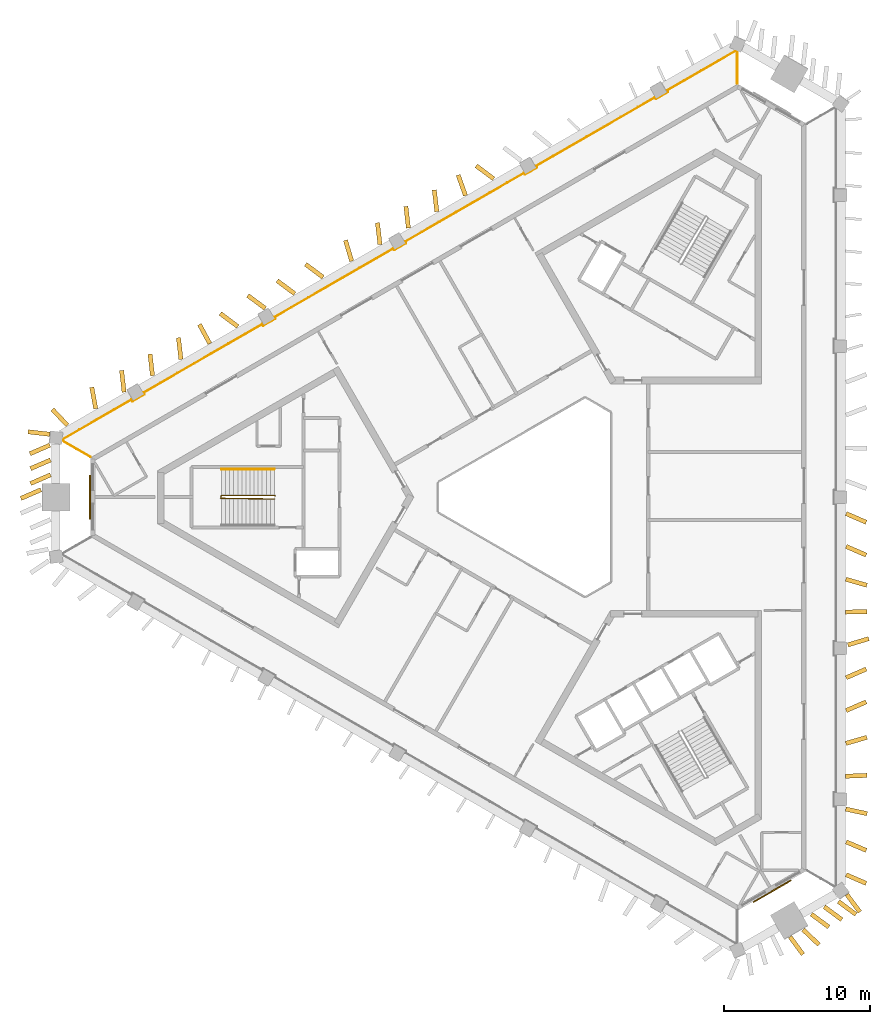
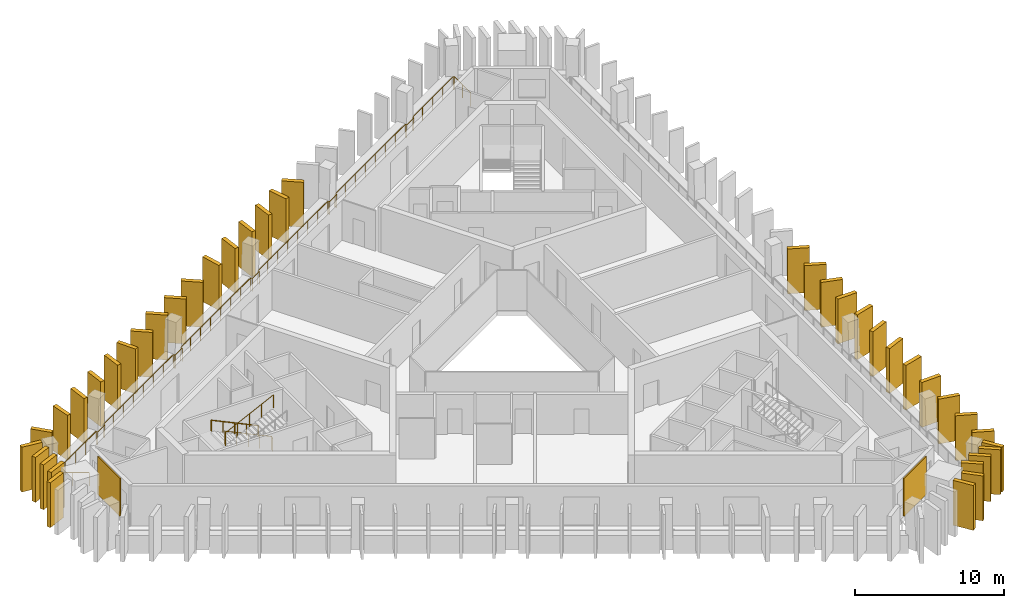
# One storey, part 8 of 9: 39 shading devices, 3 railings, 2 coverings.
"""IFC4 building model written with IfcOpenShell, lengths in metres."""

from ifc_helpers import new_model, si_unit, direction, frame, frame_2d, origin, origin_2d, place, context, subcontext, project, spatial, rectangle, circle, extrude, material, layer, layer_set, type_object, element, save


model = new_model("IFC4")

# Units and contexts
model_context = context("Model", 3, precision=1e-05, world=origin(), true_north=direction((0.0, 1.0)))
body_context = subcontext(model_context, "Body", "Model", "MODEL_VIEW")
ifc_project = project(units=[si_unit("LENGTHUNIT", "METRE"), si_unit("AREAUNIT", "SQUARE_METRE"), si_unit("VOLUMEUNIT", "CUBIC_METRE"), si_unit("PLANEANGLEUNIT", "RADIAN"), si_unit("MASSUNIT", "GRAM", prefix="KILO")], contexts=[model_context])

# Site, building, storey
site_placement = place(None, origin())
site = spatial("IfcSite", under=ifc_project, at=site_placement, CompositionType="ELEMENT")
building_placement = place(site_placement, origin())
building = spatial("IfcBuilding", under=site, at=building_placement, Name="Jabali Bay Hotel Tower and Convention Centre", CompositionType="ELEMENT")
storey_placement = place(building_placement, frame((0.0, 0.0, 213.199951171875)))
storey = spatial("IfcBuildingStorey", under=building, at=storey_placement, Name="L52", CompositionType="ELEMENT", Elevation=213.199951171875)

# Railing
ifc_material_1 = material(Name="Glass", Category="glass")
railing_type_1 = type_object("IfcRailingType", Name="Loggia glass guard 1100", PredefinedType="BALUSTRADE", material=ifc_material_1)
railing_1_placement = place(storey_placement, frame((43.78271484375, 82.762939453125, 0.0)))
element("IfcRailing", 1, at=railing_1_placement, inside=storey, type_object=railing_type_1, Name="Loggia glass guard L52", PredefinedType="BALUSTRADE", context=body_context, shape_type="SweptSolid", body=[
    extrude(circle(Radius=0.02490234375, at=origin_2d()), frame((0.0, 0.0, 1.0751953125), z_axis=(-0.866008297462, 0.50002962785, 0.0), x_axis=(-0.495751805066, -0.858599476426, 0.13052619222)), (0.0, 0.0, 1.0), 2.247314453125),
    extrude(circle(Radius=0.02490234375, at=origin_2d()), frame((-1.9462890625, 1.123779296875, 1.0751953125), z_axis=(0.120440362597, 0.992720564438, 0.0), x_axis=(-0.984227702392, 0.119409978599, 0.13052619222)), (0.0, 0.0, 1.0), 0.06689453125),
    extrude(circle(Radius=0.02490234375, at=origin_2d()), frame((-1.938232421875, 1.190185546875, 1.0751953125), z_axis=(0.8660093121, 0.50002787058, 0.0), x_axis=(-0.49575006283, 0.858600482383, 0.13052619222)), (0.0, 0.0, 1.0), 5.489501953125),
    extrude(circle(Radius=0.02490234375, at=origin_2d()), frame((2.815673828125, 3.93505859375, 1.0751953125), z_axis=(0.499497219344, -0.8663154898, 0.0), x_axis=(0.858904040691, 0.495223951389, 0.13052619222)), (0.0, 0.0, 1.0), 0.125244140625),
    extrude(circle(Radius=0.02490234375, at=origin_2d()), frame((2.878173828125, 3.82666015625, 1.0751953125), z_axis=(0.865988727248, 0.500063520245, 0.0), x_axis=(-0.495785407507, 0.858580073638, 0.13052619222)), (0.0, 0.0, 1.0), 0.9501953125),
    extrude(circle(Radius=0.02490234375, at=origin_2d()), frame((3.700927734375, 4.3017578125, 1.0751953125), z_axis=(-0.500342721131, 0.865827443207, 0.0), x_axis=(-0.858420169404, -0.496062219791, 0.13052619222)), (0.0, 0.0, 1.0), 0.125),
    extrude(circle(Radius=0.02490234375, at=origin_2d()), frame((3.638427734375, 4.409912109375, 1.0751953125), z_axis=(0.86602143297, 0.50000687759, 0.0), x_axis=(-0.495729249438, 0.858612499557, 0.13052619222)), (0.0, 0.0, 1.0), 9.436279296875),
    extrude(circle(Radius=0.02490234375, at=origin_2d()), frame((11.810546875, 9.128173828125, 1.0751953125), z_axis=(0.499497219344, -0.8663154898, 0.0), x_axis=(0.858904040691, 0.495223951389, 0.13052619222)), (0.0, 0.0, 1.0), 0.125244140625),
    extrude(circle(Radius=0.02490234375, at=origin_2d()), frame((11.873046875, 9.019775390625, 1.0751953125), z_axis=(0.865924446982, 0.500174821557, 0.0), x_axis=(-0.495895756621, 0.858516343298, 0.13052619222)), (0.0, 0.0, 1.0), 0.949951171875),
    extrude(circle(Radius=0.02490234375, at=origin_2d()), frame((12.695556640625, 9.494873046875, 1.0751953125), z_axis=(-0.500342721131, 0.865827443207, 0.0), x_axis=(-0.858420169404, -0.496062219791, 0.13052619222)), (0.0, 0.0, 1.0), 0.125),
    extrude(circle(Radius=0.02490234375, at=origin_2d()), frame((12.633056640625, 9.60302734375, 1.0751953125), z_axis=(0.86602143297, 0.50000687759, 0.0), x_axis=(-0.495729249438, 0.858612499557, 0.13052619222)), (0.0, 0.0, 1.0), 9.436279296875),
    extrude(circle(Radius=0.02490234375, at=origin_2d()), frame((20.80517578125, 14.3212890625, 1.0751953125), z_axis=(0.500342721131, -0.865827443207, 0.0), x_axis=(0.858420169404, 0.496062219791, 0.13052619222)), (0.0, 0.0, 1.0), 0.125),
    extrude(circle(Radius=0.02490234375, at=origin_2d()), frame((20.86767578125, 14.213134765625, 1.0751953125), z_axis=(0.866100000774, 0.49987077196, 0.0), x_axis=(-0.495594308211, 0.858690395203, 0.13052619222)), (0.0, 0.0, 1.0), 0.949951171875),
    extrude(circle(Radius=0.02490234375, at=origin_2d()), frame((21.6904296875, 14.68798828125, 1.0751953125), z_axis=(-0.499497219344, 0.8663154898, 0.0), x_axis=(-0.858904040691, -0.495223951389, 0.13052619222)), (0.0, 0.0, 1.0), 0.125244140625),
    extrude(circle(Radius=0.02490234375, at=origin_2d()), frame((21.6279296875, 14.79638671875, 1.0751953125), z_axis=(0.866032636008, 0.499987473213, 0.0), x_axis=(-0.495710011068, 0.858623606752, 0.13052619222)), (0.0, 0.0, 1.0), 9.436279296875),
    extrude(circle(Radius=0.02490234375, at=origin_2d()), frame((29.800048828125, 19.514404296875, 1.0751953125), z_axis=(0.500342721131, -0.865827443207, 0.0), x_axis=(0.858420169404, 0.496062219791, 0.13052619222)), (0.0, 0.0, 1.0), 0.125),
    extrude(circle(Radius=0.02490234375, at=origin_2d()), frame((29.862548828125, 19.40625, 1.0751953125), z_axis=(0.866100000774, 0.49987077196, 0.0), x_axis=(-0.495594308211, 0.858690395203, 0.13052619222)), (0.0, 0.0, 1.0), 0.949951171875),
    extrude(circle(Radius=0.02490234375, at=origin_2d()), frame((30.685302734375, 19.881103515625, 1.0751953125), z_axis=(-0.499497219344, 0.8663154898, 0.0), x_axis=(-0.858904040691, -0.495223951389, 0.13052619222)), (0.0, 0.0, 1.0), 0.125244140625),
    extrude(circle(Radius=0.02490234375, at=origin_2d()), frame((30.622802734375, 19.989501953125, 1.0751953125), z_axis=(0.866032636008, 0.499987473213, 0.0), x_axis=(-0.495710011068, 0.858623606752, 0.13052619222)), (0.0, 0.0, 1.0), 9.436279296875),
    extrude(circle(Radius=0.02490234375, at=origin_2d()), frame((38.794921875, 24.70751953125, 1.0751953125), z_axis=(0.500342721131, -0.865827443207, 0.0), x_axis=(0.858420169404, 0.496062219791, 0.13052619222)), (0.0, 0.0, 1.0), 0.125),
    extrude(circle(Radius=0.02490234375, at=origin_2d()), frame((38.857421875, 24.599365234375, 1.0751953125), z_axis=(0.866035761792, 0.499982058975, 0.0), x_axis=(-0.49570464315, 0.858626705795, 0.13052619222)), (0.0, 0.0, 1.0), 0.94970703125),
    extrude(circle(Radius=0.02490234375, at=origin_2d()), frame((39.679931640625, 25.07421875, 1.0751953125), z_axis=(-0.499497219344, 0.8663154898, 0.0), x_axis=(-0.858904040691, -0.495223951389, 0.13052619222)), (0.0, 0.0, 1.0), 0.125244140625),
    extrude(circle(Radius=0.02490234375, at=origin_2d()), frame((39.617431640625, 25.1826171875, 1.0751953125), z_axis=(0.866028570666, 0.499994514761, 0.0), x_axis=(-0.495716992375, 0.858619576189, 0.13052619222)), (0.0, 0.0, 1.0), 5.4892578125),
    extrude(circle(Radius=0.02490234375, at=origin_2d()), frame((44.371337890625, 27.92724609375, 1.0751953125), z_axis=(0.91970817197, -0.392602697916, 0.0), x_axis=(0.38924392741, 0.911839941063, 0.13052619222)), (0.0, 0.0, 1.0), 0.067138671875),
    extrude(circle(Radius=0.02490234375, at=origin_2d()), frame((44.43310546875, 27.90087890625, 1.0751953125), z_axis=(0.0, -1.0, 0.0), x_axis=(0.991444861374, 0.0, 0.13052619222)), (0.0, 0.0, 1.0), 2.247314453125),
    extrude(circle(Radius=0.02001953125, at=origin_2d()), origin(), (0.0, 0.0, 1.0), 1.050048828125),
    extrude(circle(Radius=0.02001953125, at=origin_2d()), frame((-0.97314453125, 0.56201171875, 0.0)), (0.0, 0.0, 1.0), 1.050048828125),
    extrude(circle(Radius=0.02001953125, at=origin_2d()), frame((-1.9462890625, 1.123779296875, 0.0)), (0.0, 0.0, 1.0), 1.050048828125),
    extrude(circle(Radius=0.02001953125, at=origin_2d()), frame((-1.938232421875, 1.190185546875, 0.0)), (0.0, 0.0, 1.0), 1.050048828125),
    extrude(circle(Radius=0.02001953125, at=origin_2d()), frame((-0.749755859375, 1.87646484375, 0.0)), (0.0, 0.0, 1.0), 1.050048828125),
    extrude(circle(Radius=0.02001953125, at=origin_2d()), frame((0.438720703125, 2.5625, 0.0)), (0.0, 0.0, 1.0), 1.050048828125),
    extrude(circle(Radius=0.02001953125, at=origin_2d()), frame((1.627197265625, 3.248779296875, 0.0)), (0.0, 0.0, 1.0), 1.050048828125),
    extrude(circle(Radius=0.02001953125, at=origin_2d()), frame((2.815673828125, 3.93505859375, 0.0)), (0.0, 0.0, 1.0), 1.050048828125),
    extrude(circle(Radius=0.02001953125, at=origin_2d()), frame((2.878173828125, 3.82666015625, 0.0)), (0.0, 0.0, 1.0), 1.050048828125),
    extrude(circle(Radius=0.02001953125, at=origin_2d()), frame((3.700927734375, 4.3017578125, 0.0)), (0.0, 0.0, 1.0), 1.050048828125),
    extrude(circle(Radius=0.02001953125, at=origin_2d()), frame((3.638427734375, 4.409912109375, 0.0)), (0.0, 0.0, 1.0), 1.050048828125),
    extrude(circle(Radius=0.02001953125, at=origin_2d()), frame((4.805908203125, 5.083984375, 0.0)), (0.0, 0.0, 1.0), 1.050048828125),
    extrude(circle(Radius=0.02001953125, at=origin_2d()), frame((5.973388671875, 5.758056640625, 0.0)), (0.0, 0.0, 1.0), 1.050048828125),
    extrude(circle(Radius=0.02001953125, at=origin_2d()), frame((7.140869140625, 6.43212890625, 0.0)), (0.0, 0.0, 1.0), 1.050048828125),
    extrude(circle(Radius=0.02001953125, at=origin_2d()), frame((8.30810546875, 7.10595703125, 0.0)), (0.0, 0.0, 1.0), 1.050048828125),
    extrude(circle(Radius=0.02001953125, at=origin_2d()), frame((9.4755859375, 7.780029296875, 0.0)), (0.0, 0.0, 1.0), 1.050048828125),
    extrude(circle(Radius=0.02001953125, at=origin_2d()), frame((10.64306640625, 8.4541015625, 0.0)), (0.0, 0.0, 1.0), 1.050048828125),
    extrude(circle(Radius=0.02001953125, at=origin_2d()), frame((11.810546875, 9.128173828125, 0.0)), (0.0, 0.0, 1.0), 1.050048828125),
    extrude(circle(Radius=0.02001953125, at=origin_2d()), frame((11.873046875, 9.019775390625, 0.0)), (0.0, 0.0, 1.0), 1.050048828125),
    extrude(circle(Radius=0.02001953125, at=origin_2d()), frame((12.695556640625, 9.494873046875, 0.0)), (0.0, 0.0, 1.0), 1.050048828125),
    extrude(circle(Radius=0.02001953125, at=origin_2d()), frame((12.633056640625, 9.60302734375, 0.0)), (0.0, 0.0, 1.0), 1.050048828125),
    extrude(circle(Radius=0.02001953125, at=origin_2d()), frame((13.800537109375, 10.277099609375, 0.0)), (0.0, 0.0, 1.0), 1.050048828125),
    extrude(circle(Radius=0.02001953125, at=origin_2d()), frame((14.968017578125, 10.951171875, 0.0)), (0.0, 0.0, 1.0), 1.050048828125),
    extrude(circle(Radius=0.02001953125, at=origin_2d()), frame((16.135498046875, 11.625244140625, 0.0)), (0.0, 0.0, 1.0), 1.050048828125),
    extrude(circle(Radius=0.02001953125, at=origin_2d()), frame((17.302734375, 12.299072265625, 0.0)), (0.0, 0.0, 1.0), 1.050048828125),
    extrude(circle(Radius=0.02001953125, at=origin_2d()), frame((18.47021484375, 12.97314453125, 0.0)), (0.0, 0.0, 1.0), 1.050048828125),
    extrude(circle(Radius=0.02001953125, at=origin_2d()), frame((19.6376953125, 13.647216796875, 0.0)), (0.0, 0.0, 1.0), 1.050048828125),
    extrude(circle(Radius=0.02001953125, at=origin_2d()), frame((20.80517578125, 14.3212890625, 0.0)), (0.0, 0.0, 1.0), 1.050048828125),
    extrude(circle(Radius=0.02001953125, at=origin_2d()), frame((20.86767578125, 14.213134765625, 0.0)), (0.0, 0.0, 1.0), 1.050048828125),
    extrude(circle(Radius=0.02001953125, at=origin_2d()), frame((21.6904296875, 14.68798828125, 0.0)), (0.0, 0.0, 1.0), 1.050048828125),
    extrude(circle(Radius=0.02001953125, at=origin_2d()), frame((21.6279296875, 14.79638671875, 0.0)), (0.0, 0.0, 1.0), 1.050048828125),
    extrude(circle(Radius=0.02001953125, at=origin_2d()), frame((22.79541015625, 15.470458984375, 0.0)), (0.0, 0.0, 1.0), 1.050048828125),
    extrude(circle(Radius=0.02001953125, at=origin_2d()), frame((23.962890625, 16.144287109375, 0.0)), (0.0, 0.0, 1.0), 1.050048828125),
    extrude(circle(Radius=0.02001953125, at=origin_2d()), frame((25.13037109375, 16.818359375, 0.0)), (0.0, 0.0, 1.0), 1.050048828125),
    extrude(circle(Radius=0.02001953125, at=origin_2d()), frame((26.297607421875, 17.492431640625, 0.0)), (0.0, 0.0, 1.0), 1.050048828125),
    extrude(circle(Radius=0.02001953125, at=origin_2d()), frame((27.465087890625, 18.16650390625, 0.0)), (0.0, 0.0, 1.0), 1.050048828125),
    extrude(circle(Radius=0.02001953125, at=origin_2d()), frame((28.632568359375, 18.84033203125, 0.0)), (0.0, 0.0, 1.0), 1.050048828125),
    extrude(circle(Radius=0.02001953125, at=origin_2d()), frame((29.800048828125, 19.514404296875, 0.0)), (0.0, 0.0, 1.0), 1.050048828125),
    extrude(circle(Radius=0.02001953125, at=origin_2d()), frame((29.862548828125, 19.40625, 0.0)), (0.0, 0.0, 1.0), 1.050048828125),
    extrude(circle(Radius=0.02001953125, at=origin_2d()), frame((30.685302734375, 19.881103515625, 0.0)), (0.0, 0.0, 1.0), 1.050048828125),
    extrude(circle(Radius=0.02001953125, at=origin_2d()), frame((30.622802734375, 19.989501953125, 0.0)), (0.0, 0.0, 1.0), 1.050048828125),
    extrude(circle(Radius=0.02001953125, at=origin_2d()), frame((31.790283203125, 20.66357421875, 0.0)), (0.0, 0.0, 1.0), 1.050048828125),
    extrude(circle(Radius=0.02001953125, at=origin_2d()), frame((32.957763671875, 21.33740234375, 0.0)), (0.0, 0.0, 1.0), 1.050048828125),
    extrude(circle(Radius=0.02001953125, at=origin_2d()), frame((34.125244140625, 22.011474609375, 0.0)), (0.0, 0.0, 1.0), 1.050048828125),
    extrude(circle(Radius=0.02001953125, at=origin_2d()), frame((35.29248046875, 22.685546875, 0.0)), (0.0, 0.0, 1.0), 1.050048828125),
    extrude(circle(Radius=0.02001953125, at=origin_2d()), frame((36.4599609375, 23.359619140625, 0.0)), (0.0, 0.0, 1.0), 1.050048828125),
    extrude(circle(Radius=0.02001953125, at=origin_2d()), frame((37.62744140625, 24.033447265625, 0.0)), (0.0, 0.0, 1.0), 1.050048828125),
    extrude(circle(Radius=0.02001953125, at=origin_2d()), frame((38.794921875, 24.70751953125, 0.0)), (0.0, 0.0, 1.0), 1.050048828125),
    extrude(circle(Radius=0.02001953125, at=origin_2d()), frame((38.857421875, 24.599365234375, 0.0)), (0.0, 0.0, 1.0), 1.050048828125),
    extrude(circle(Radius=0.02001953125, at=origin_2d()), frame((39.679931640625, 25.07421875, 0.0)), (0.0, 0.0, 1.0), 1.050048828125),
    extrude(circle(Radius=0.02001953125, at=origin_2d()), frame((39.617431640625, 25.1826171875, 0.0)), (0.0, 0.0, 1.0), 1.050048828125),
    extrude(circle(Radius=0.02001953125, at=origin_2d()), frame((40.805908203125, 25.86865234375, 0.0)), (0.0, 0.0, 1.0), 1.050048828125),
    extrude(circle(Radius=0.02001953125, at=origin_2d()), frame((41.994384765625, 26.554931640625, 0.0)), (0.0, 0.0, 1.0), 1.050048828125),
    extrude(circle(Radius=0.02001953125, at=origin_2d()), frame((43.182861328125, 27.2412109375, 0.0)), (0.0, 0.0, 1.0), 1.050048828125),
    extrude(circle(Radius=0.02001953125, at=origin_2d()), frame((44.371337890625, 27.92724609375, 0.0)), (0.0, 0.0, 1.0), 1.050048828125),
    extrude(circle(Radius=0.02001953125, at=origin_2d()), frame((44.43310546875, 27.90087890625, 0.0)), (0.0, 0.0, 1.0), 1.050048828125),
    extrude(circle(Radius=0.02001953125, at=origin_2d()), frame((44.43310546875, 26.77734375, 0.0)), (0.0, 0.0, 1.0), 1.050048828125),
    extrude(circle(Radius=0.02001953125, at=origin_2d()), frame((44.43310546875, 25.653564453125, 0.0)), (0.0, 0.0, 1.0), 1.050048828125),
])

# Shading devices
ifc_material_2 = material(Name="Precast concrete C60", Category="concrete")
ifc_layer_1 = layer(ifc_material_2, 0.300048828125)
ifc_layer_set_1 = layer_set([ifc_layer_1], Name="Precast concrete C60")
shading_device_type = type_object("IfcShadingDeviceType", Name="Precast fin 3680 x 1500", PredefinedType="USERDEFINED", material=ifc_layer_set_1)
for number, where, z_axis, x_axis, name in (
    (2, (95.703369140625, 54.059814453125, 0.010009765625), (0.0, 0.0, 1.0), (0.917682260148, -0.39731507574, 0.0), "Fin L52 000"),
    (3, (95.7021484375, 56.3154296875, 0.010009765625), (0.0, 0.0, 1.0), (0.921036872291, -0.389475390598, 0.0), "Fin L52 001"),
    (4, (95.67578125, 58.571044921875, 0.010009765625), (0.0, 0.0, 1.0), (0.977074892163, -0.212895878552, 0.0), "Fin L52 002"),
    (5, (95.649658203125, 60.826904296875, 0.010009765625), (0.0, 0.0, 1.0), (0.999249346644, 0.03873942735, 0.0), "Fin L52 003"),
):
    element("IfcShadingDevice", number, at=place(storey_placement, frame(where, z_axis=z_axis, x_axis=x_axis)), inside=storey, type_object=shading_device_type, Name=name, ObjectType="FIN", PredefinedType="USERDEFINED", context=body_context, shape_type="SweptSolid", body=[
        extrude(rectangle(XDim=1.5, YDim=0.300048828125, at=frame_2d((0.75, 0.0))), origin(), (0.0, 0.0, 1.0), 3.679931640625),
    ])
shading_device_1_placement = place(storey_placement, frame((95.685302734375, 63.08251953125, 0.010009765625), z_axis=(0.0, 0.0, 1.0), x_axis=(0.961043364165, 0.276397634206, 0.0)))
element("IfcShadingDevice", 6, at=shading_device_1_placement, inside=storey, type_object=shading_device_type, Name="Fin L52 004", ObjectType="FIN", PredefinedType="USERDEFINED", context=body_context, shape_type="SweptSolid", body=[
    extrude(rectangle(XDim=1.499755859375, YDim=0.300048828125, at=frame_2d((0.75, 0.0))), origin(), (0.0, 0.0, 1.0), 3.679931640625),
])
for number, where, z_axis, x_axis, name in (
    (7, (95.703369140625, 65.338134765625, 0.010009765625), (0.0, 0.0, 1.0), (0.917682260148, 0.39731507574, 0.0), "Fin L52 005"),
    (8, (95.703369140625, 67.59375, 0.010009765625), (0.0, 0.0, 1.0), (0.917682260148, 0.39731507574, 0.0), "Fin L52 006"),
    (9, (95.8193359375, 69.849365234375, 0.010009765625), (0.0, 0.0, 1.0), (0.958085734124, 0.286481633037, 0.0), "Fin L52 007"),
    (10, (95.64697265625, 72.105224609375, 0.010009765625), (0.0, 0.0, 1.0), (0.999772697888, 0.021320238226, 0.0), "Fin L52 008"),
):
    element("IfcShadingDevice", number, at=place(storey_placement, frame(where, z_axis=z_axis, x_axis=x_axis)), inside=storey, type_object=shading_device_type, Name=name, ObjectType="FIN", PredefinedType="USERDEFINED", context=body_context, shape_type="SweptSolid", body=[
        extrude(rectangle(XDim=1.5, YDim=0.300048828125, at=frame_2d((0.75, 0.0))), origin(), (0.0, 0.0, 1.0), 3.679931640625),
    ])
for number, where, z_axis, x_axis, name in (
    (11, (95.685302734375, 74.36083984375, 0.010009765625), (0.0, 0.0, 1.0), (0.961043364165, -0.276397634206, 0.0), "Fin L52 009"),
    (12, (95.703369140625, 76.616455078125, 0.010009765625), (0.0, 0.0, 1.0), (0.917741600183, -0.397177989437, 0.0), "Fin L52 010"),
):
    element("IfcShadingDevice", number, at=place(storey_placement, frame(where, z_axis=z_axis, x_axis=x_axis)), inside=storey, type_object=shading_device_type, Name=name, ObjectType="FIN", PredefinedType="USERDEFINED", context=body_context, shape_type="SweptSolid", body=[
        extrude(rectangle(XDim=1.499755859375, YDim=0.300048828125, at=frame_2d((0.75, 0.0))), origin(), (0.0, 0.0, 1.0), 3.679931640625),
    ])
for number, where, z_axis, x_axis, name in (
    (13, (95.703369140625, 78.8720703125, 0.010009765625), (0.0, 0.0, 1.0), (0.917767272696, -0.397118663837, 0.0), "Fin L52 011"),
    (14, (71.485595703125, 101.876708984375, 0.010009765625), (0.0, 0.0, 1.0), (-0.80140400325, 0.598123418347, 0.0), "Fin L52 040"),
    (15, (69.54833984375, 100.72119140625, 0.010009765625), (0.0, 0.0, 1.0), (-0.335449534217, 0.942058177606, 0.0), "Fin L52 041"),
    (16, (67.57861328125, 99.621337890625, 0.010009765625), (0.0, 0.0, 1.0), (-0.115075086819, 0.993356796118, 0.0), "Fin L52 042"),
    (17, (65.625, 98.49365234375, 0.010009765625), (0.0, 0.0, 1.0), (-0.114753848896, 0.993393957181, 0.0), "Fin L52 043"),
    (18, (63.671630859375, 97.36572265625, 0.010009765625), (0.0, 0.0, 1.0), (-0.114914472364, 0.993375389287, 0.0), "Fin L52 044"),
):
    element("IfcShadingDevice", number, at=place(storey_placement, frame(where, z_axis=z_axis, x_axis=x_axis)), inside=storey, type_object=shading_device_type, Name=name, ObjectType="FIN", PredefinedType="USERDEFINED", context=body_context, shape_type="SweptSolid", body=[
        extrude(rectangle(XDim=1.5, YDim=0.300048828125, at=frame_2d((0.75, 0.0))), origin(), (0.0, 0.0, 1.0), 3.679931640625),
    ])
shading_device_2_placement = place(storey_placement, frame((61.73046875, 96.21630859375, 0.010009765625), z_axis=(0.0, 0.0, 1.0), x_axis=(-0.28545114311, 0.95839326213, 0.0)))
element("IfcShadingDevice", 19, at=shading_device_2_placement, inside=storey, type_object=shading_device_type, Name="Fin L52 045", ObjectType="FIN", PredefinedType="USERDEFINED", context=body_context, shape_type="SweptSolid", body=[
    extrude(rectangle(XDim=1.500244140625, YDim=0.300048828125, at=frame_2d((0.75, 0.0))), origin(), (0.0, 0.0, 1.0), 3.679931640625),
])
for number, where, z_axis, x_axis, name in (
    (20, (59.7646484375, 95.110107421875, 0.010009765625), (0.0, 0.0, 1.0), (-0.802939709728, 0.596060250765, 0.0), "Fin L52 046"),
    (21, (57.811279296875, 93.982177734375, 0.010009765625), (0.0, 0.0, 1.0), (-0.802861809091, 0.596165174681, 0.0), "Fin L52 047"),
    (22, (55.79150390625, 92.96923828125, 0.010009765625), (0.0, 0.0, 1.0), (-0.802939709728, 0.596060250765, 0.0), "Fin L52 048"),
    (23, (53.904296875, 91.7265625, 0.010009765625), (0.0, 0.0, 1.0), (-0.802861809091, 0.596165174681, 0.0), "Fin L52 049"),
    (24, (51.978271484375, 90.551025390625, 0.010009765625), (0.0, 0.0, 1.0), (-0.474478334483, 0.880267181091, 0.0), "Fin L52 050"),
    (25, (49.997314453125, 89.470947265625, 0.010009765625), (0.0, 0.0, 1.0), (-0.114914472364, 0.993375389287, 0.0), "Fin L52 051"),
    (26, (48.043701171875, 88.343017578125, 0.010009765625), (0.0, 0.0, 1.0), (-0.114753848896, 0.993393957181, 0.0), "Fin L52 052"),
):
    element("IfcShadingDevice", number, at=place(storey_placement, frame(where, z_axis=z_axis, x_axis=x_axis)), inside=storey, type_object=shading_device_type, Name=name, ObjectType="FIN", PredefinedType="USERDEFINED", context=body_context, shape_type="SweptSolid", body=[
        extrude(rectangle(XDim=1.5, YDim=0.300048828125, at=frame_2d((0.75, 0.0))), origin(), (0.0, 0.0, 1.0), 3.679931640625),
    ])
shading_device_3_placement = place(storey_placement, frame((46.09033203125, 87.215087890625, 0.010009765625), z_axis=(0.0, 0.0, 1.0), x_axis=(-0.114735296621, 0.993396100108, 0.0)))
element("IfcShadingDevice", 27, at=shading_device_3_placement, inside=storey, type_object=shading_device_type, Name="Fin L52 053", ObjectType="FIN", PredefinedType="USERDEFINED", context=body_context, shape_type="SweptSolid", body=[
    extrude(rectangle(XDim=1.500244140625, YDim=0.300048828125, at=frame_2d((0.75, 0.0))), origin(), (0.0, 0.0, 1.0), 3.679931640625),
])
for number, where, z_axis, x_axis, name in (
    (28, (44.1416015625, 86.079345703125, 0.010009765625), (0.0, 0.0, 1.0), (-0.181319849924, 0.983424177059, 0.0), "Fin L52 054"),
    (29, (42.196044921875, 84.937744140625, 0.010009765625), (0.0, 0.0, 1.0), (-0.684877173461, 0.728658532697, 0.0), "Fin L52 055"),
):
    element("IfcShadingDevice", number, at=place(storey_placement, frame(where, z_axis=z_axis, x_axis=x_axis)), inside=storey, type_object=shading_device_type, Name=name, ObjectType="FIN", PredefinedType="USERDEFINED", context=body_context, shape_type="SweptSolid", body=[
        extrude(rectangle(XDim=1.5, YDim=0.300048828125, at=frame_2d((0.75, 0.0))), origin(), (0.0, 0.0, 1.0), 3.679931640625),
    ])
shading_device_4_placement = place(storey_placement, frame((40.9951171875, 83.579345703125, 0.010009765625), z_axis=(0.0, 0.0, 1.0), x_axis=(-0.917741600183, -0.397177989437, 0.0)))
element("IfcShadingDevice", 30, at=shading_device_4_placement, inside=storey, type_object=shading_device_type, Name="Fin L52 056", ObjectType="FIN", PredefinedType="USERDEFINED", context=body_context, shape_type="SweptSolid", body=[
    extrude(rectangle(XDim=1.499755859375, YDim=0.300048828125, at=frame_2d((0.75, 0.0))), origin(), (0.0, 0.0, 1.0), 3.679931640625),
])
for number, where, z_axis, x_axis, name in (
    (31, (41.036376953125, 82.556640625, 0.010009765625), (0.0, 0.0, 1.0), (-0.917767272696, -0.397118663837, 0.0), "Fin L52 057"),
    (32, (41.036376953125, 81.533935546875, 0.010009765625), (0.0, 0.0, 1.0), (-0.917767272696, -0.397118663837, 0.0), "Fin L52 058"),
    (33, (40.373779296875, 80.51123046875, 0.010009765625), (0.0, 0.0, 1.0), (-0.917767272696, -0.397118663837, 0.0), "Fin L52 059"),
    (34, (91.8486328125, 49.794677734375, 0.010009765625), (0.0, 0.0, 1.0), (0.59063667216, -0.806937619336, 0.0), "Fin L52 091"),
    (35, (92.747314453125, 50.283203125, 0.010009765625), (0.0, 0.0, 1.0), (0.724625461443, -0.689142902908, 0.0), "Fin L52 092"),
    (36, (93.310302734375, 51.353515625, 0.010009765625), (0.0, 0.0, 1.0), (0.802939709728, -0.596060250765, 0.0), "Fin L52 093"),
    (37, (94.196044921875, 51.864990234375, 0.010009765625), (0.0, 0.0, 1.0), (0.802861809091, -0.596165174681, 0.0), "Fin L52 094"),
    (38, (95.171142578125, 52.221435546875, 0.010009765625), (0.0, 0.0, 1.0), (0.802861809091, -0.596165174681, 0.0), "Fin L52 095"),
    (39, (95.751953125, 52.70068359375, 0.010009765625), (0.0, 0.0, 1.0), (0.596165174681, -0.802861809091, 0.0), "Fin L52 096"),
    (40, (40.98193359375, 84.322021484375, 0.010009765625), (0.0, 0.0, 1.0), (-0.993375389287, 0.114914472364, 0.0), "Fin L52 099"),
):
    element("IfcShadingDevice", number, at=place(storey_placement, frame(where, z_axis=z_axis, x_axis=x_axis)), inside=storey, type_object=shading_device_type, Name=name, ObjectType="FIN", PredefinedType="USERDEFINED", context=body_context, shape_type="SweptSolid", body=[
        extrude(rectangle(XDim=1.5, YDim=0.300048828125, at=frame_2d((0.75, 0.0))), origin(), (0.0, 0.0, 1.0), 3.679931640625),
    ])

# Coverings
ifc_material_3 = material(Name="Precast concrete C40/50", Category="concrete")
ifc_layer_2 = layer(ifc_material_3, 0.080078125)
ifc_layer_set_2 = layer_set([ifc_layer_2], Name="Precast concrete C40/50")
covering_type = type_object("IfcCoveringType", Name="Relief panel 3000 x 3100", PredefinedType="CLADDING", material=ifc_layer_set_2)
for number, where, z_axis, x_axis, name in (
    (41, (43.74267578125, 80.0, 0.10009765625), (0.0, 0.0, 1.0), (0.0, 1.0, 0.0), "Relief panel L52"),
    (42, (90.628662109375, 52.930419921875, 0.10009765625), (0.0, 0.0, 1.0), (-0.866025444555, -0.499999929383, 0.0), "Relief panel L52"),
):
    element("IfcCovering", number, at=place(storey_placement, frame(where, z_axis=z_axis, x_axis=x_axis)), inside=storey, type_object=covering_type, Name=name, PredefinedType="CLADDING", context=body_context, shape_type="SweptSolid", body=[
        extrude(rectangle(XDim=3.0, YDim=0.080078125, at=origin_2d()), origin(), (0.0, 0.0, 1.0), 3.10009765625),
    ])

# Railings
ifc_material_4 = material(Name="Steel Q355B", Category="steel")
railing_type_2 = type_object("IfcRailingType", Name="Stair guard 1100", PredefinedType="GUARDRAIL", material=ifc_material_4)
railing_2_placement = place(storey_placement, frame((56.469970703125, 80.074951171875, 0.0)))
element("IfcRailing", 43, at=railing_2_placement, inside=storey, type_object=railing_type_2, Name="L52 ST1 stair guard 1", PredefinedType="GUARDRAIL", context=body_context, shape_type="SweptSolid", body=[
    extrude(circle(Radius=0.02392578125, at=origin_2d()), frame((0.0, 0.0, 1.076171875), z_axis=(-0.333993628408, 0.333993628408, 0.881417331555), x_axis=(-0.707106781187, -0.707106781187, 0.0)), (0.0, 0.0, 1.0), 0.14990234375),
    extrude(circle(Radius=0.02392578125, at=origin_2d()), frame((-0.050048828125, 0.050048828125, 1.2080078125), z_axis=(-0.904327350853, 0.0, 0.426839598092), x_axis=(0.0, -1.0, 0.0)), (0.0, 0.0, 1.0), 4.02490234375),
    extrude(circle(Radius=0.02392578125, at=origin_2d()), frame((-3.68994140625, 0.050048828125, 2.92626953125), z_axis=(-0.242814311512, -0.970072785993, 0.0), x_axis=(0.970072785993, -0.242814311512, 0.0)), (0.0, 0.0, 1.0), 0.2060546875),
    extrude(circle(Radius=0.02392578125, at=origin_2d()), frame((-3.739990234375, -0.14990234375, 2.92626953125), z_axis=(0.893887803671, -0.012124321804, 0.4481267625), x_axis=(0.013562335953, 0.999908027292, 0.0)), (0.0, 0.0, 1.0), 4.1279296875),
    extrude(circle(Radius=0.02099609375, at=origin_2d()), origin(), (0.0, 0.0, 1.0), 1.052001953125),
    extrude(circle(Radius=0.02099609375, at=origin_2d()), frame((-0.050048828125, 0.050048828125, 0.132080078125)), (0.0, 0.0, 1.0), 1.052001953125),
    extrude(circle(Radius=0.02099609375, at=origin_2d()), frame((-0.9599609375, 0.050048828125, 0.5615234375)), (0.0, 0.0, 1.0), 1.052001953125),
    extrude(circle(Radius=0.02099609375, at=origin_2d()), frame((-1.8701171875, 0.050048828125, 0.9912109375)), (0.0, 0.0, 1.0), 1.052001953125),
    extrude(circle(Radius=0.02099609375, at=origin_2d()), frame((-2.780029296875, 0.050048828125, 1.420654296875)), (0.0, 0.0, 1.0), 1.052001953125),
    extrude(circle(Radius=0.02099609375, at=origin_2d()), frame((-3.68994140625, 0.050048828125, 1.85009765625)), (0.0, 0.0, 1.0), 1.052001953125),
    extrude(circle(Radius=0.02099609375, at=origin_2d()), frame((-3.739990234375, -0.14990234375, 1.85009765625)), (0.0, 0.0, 1.0), 1.052001953125),
    extrude(circle(Radius=0.02099609375, at=origin_2d()), frame((-2.8173828125, -0.162353515625, 2.3125)), (0.0, 0.0, 1.0), 1.052001953125),
    extrude(circle(Radius=0.02099609375, at=origin_2d()), frame((-1.89501953125, -0.1748046875, 2.77490234375)), (0.0, 0.0, 1.0), 1.052001953125),
    extrude(circle(Radius=0.02099609375, at=origin_2d()), frame((-0.97265625, -0.1875, 3.237548828125)), (0.0, 0.0, 1.0), 1.052001953125),
    extrude(circle(Radius=0.02099609375, at=origin_2d()), frame((-0.050048828125, -0.199951171875, 3.699951171875)), (0.0, 0.0, 1.0), 1.052001953125),
])
railing_type_3 = type_object("IfcRailingType", Name="Stair handrail 900", PredefinedType="HANDRAIL", material=ifc_material_4)
railing_3_placement = place(storey_placement, frame((56.419921875, 81.925048828125, 0.132080078125)))
element("IfcRailing", 44, at=railing_3_placement, inside=storey, type_object=railing_type_3, Name="L52 ST1 stair handrail 1", PredefinedType="HANDRAIL", context=body_context, shape_type="SweptSolid", body=[
    extrude(circle(Radius=0.02392578125, at=origin_2d()), frame((0.0, 0.0, 0.8759765625), z_axis=(-0.904327350853, 0.0, 0.426839598092), x_axis=(0.0, -1.0, 0.0)), (0.0, 0.0, 1.0), 4.02490234375),
    extrude(circle(Radius=0.02099609375, at=origin_2d()), origin(), (0.0, 0.0, 1.0), 0.851806640625),
    extrude(circle(Radius=0.02099609375, at=origin_2d()), frame((-0.909912109375, 0.0, 0.429443359375)), (0.0, 0.0, 1.0), 0.851806640625),
    extrude(circle(Radius=0.02099609375, at=origin_2d()), frame((-1.81982421875, 0.0, 0.85888671875)), (0.0, 0.0, 1.0), 0.851806640625),
    extrude(circle(Radius=0.02099609375, at=origin_2d()), frame((-2.72998046875, 0.0, 1.28857421875)), (0.0, 0.0, 1.0), 0.851806640625),
    extrude(circle(Radius=0.02099609375, at=origin_2d()), frame((-3.639892578125, 0.0, 1.718017578125)), (0.0, 0.0, 1.0), 0.851806640625),
])

save(model, "model.ifc")
